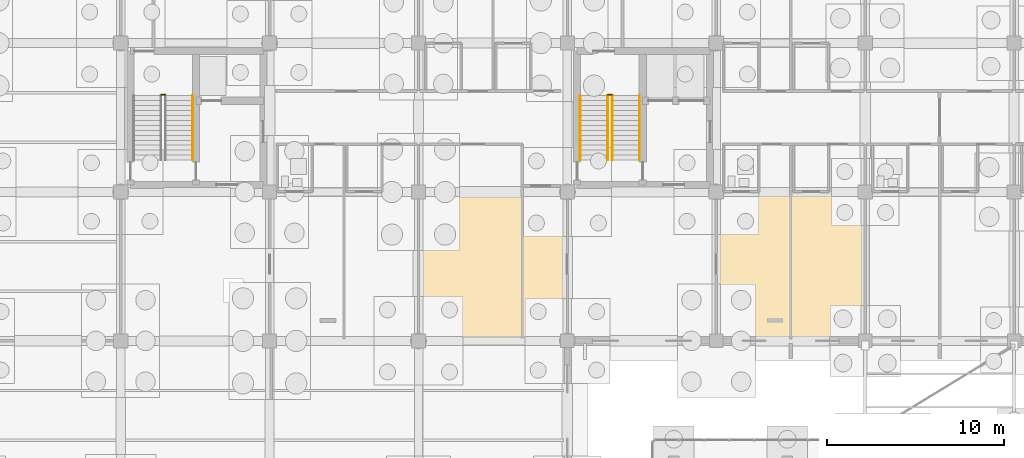
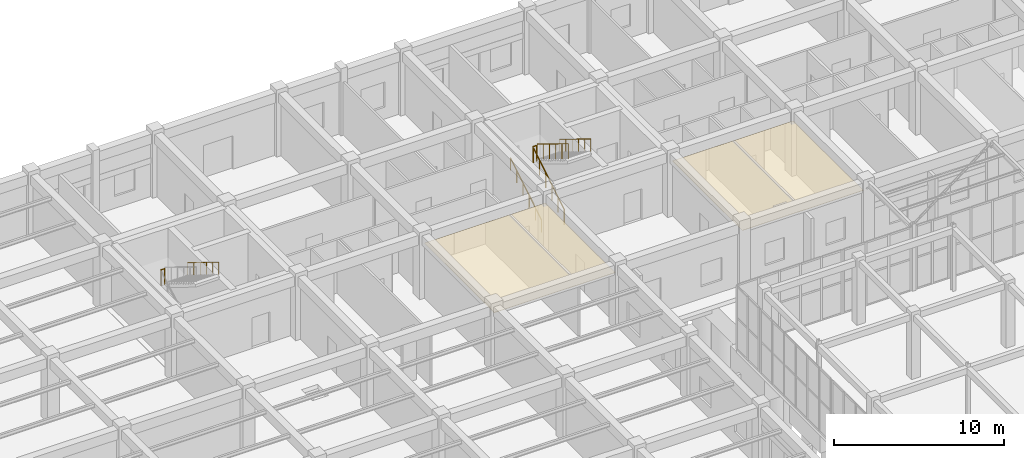
# One storey, part 184 of 192: 7 railings, 2 coverings.
"""IFC4 building model written with IfcOpenShell, lengths in metres."""

from ifc_helpers import new_model, si_unit, direction, frame, origin, origin_2d, place, context, subcontext, project, spatial, polyline, circle, outline, extrude, material, layer, layer_set, type_object, element, save


model = new_model("IFC4")

# Units and contexts
model_context = context("Model", 3, precision=1e-05, world=origin(), true_north=direction((0.0, 1.0)))
body_context = subcontext(model_context, "Body", "Model", "MODEL_VIEW")
ifc_project = project(units=[si_unit("LENGTHUNIT", "METRE"), si_unit("AREAUNIT", "SQUARE_METRE"), si_unit("VOLUMEUNIT", "CUBIC_METRE"), si_unit("PLANEANGLEUNIT", "RADIAN"), si_unit("MASSUNIT", "GRAM", prefix="KILO")], contexts=[model_context])

# Site, building, storey
site_placement = place(None, origin())
site = spatial("IfcSite", under=ifc_project, at=site_placement, CompositionType="ELEMENT")
building_placement = place(site_placement, origin())
building = spatial("IfcBuilding", under=site, at=building_placement, Name="Trelvath General Hospital", CompositionType="ELEMENT")
storey_placement = place(building_placement, origin())
storey = spatial("IfcBuildingStorey", under=building, at=storey_placement, Name="L00", CompositionType="ELEMENT", Elevation=0.0)

# Coverings
ifc_material_1 = material(Name="Hygienic acoustic ceiling tile")
ifc_layer = layer(ifc_material_1, 0.02490234375)
ifc_layer_set = layer_set([ifc_layer], Name="Hygienic acoustic ceiling tile")
covering_type = type_object("IfcCoveringType", Name="Ceiling ClinicalAcoustic", PredefinedType="CEILING", material=ifc_layer_set)
covering_1_placement = place(storey_placement, frame((0.0, 0.0, 3.679931640625)))
element("IfcCovering", 1, at=covering_1_placement, inside=storey, type_object=covering_type, Name="Clinical Acoustic Ceiling L00-8", PredefinedType="CEILING", context=body_context, shape_type="SweptSolid", body=[
    extrude(outline(polyline([(33.699951171875, 92.5), (41.89990234375, 92.5), (41.89990234375, 100.719970703125), (33.699951171875, 100.719970703125), (33.699951171875, 92.5)])), origin(), (0.0, 0.0, 1.0), 0.025146484375),
])
covering_2_placement = place(storey_placement, frame((0.0, 0.0, 3.679931640625)))
element("IfcCovering", 2, at=covering_2_placement, inside=storey, type_object=covering_type, Name="Clinical Acoustic Ceiling L00-9", PredefinedType="CEILING", context=body_context, shape_type="SweptSolid", body=[
    extrude(outline(polyline([(50.5, 92.5), (58.699951171875, 92.5), (58.699951171875, 100.719970703125), (50.5, 100.719970703125), (50.5, 92.5)])), origin(), (0.0, 0.0, 1.0), 0.025146484375),
])

# Railings
ifc_material_2 = material(Name="Architectural painted steel", Category="steel")
railing_type_1 = type_object("IfcRailingType", Name="Guardrail Terrace1150", PredefinedType="GUARDRAIL", material=ifc_material_2)
railing_1_placement = place(storey_placement, frame((44.530029296875, 106.239990234375, 2.5712890625)))
element("IfcRailing", 3, at=railing_1_placement, inside=storey, type_object=railing_type_1, Name="Stair Rail ST1 L00 F2 L 2", PredefinedType="GUARDRAIL", context=body_context, shape_type="SweptSolid", body=[
    extrude(circle(Radius=0.02392578125, at=origin_2d()), frame((0.0, 0.0, 1.076171875), z_axis=(0.0, -0.852824790078, 0.522197163366), x_axis=(1.0, 0.0, 0.0)), (0.0, 0.0, 1.0), 4.26806640625),
    extrude(circle(Radius=0.02099609375, at=origin_2d()), origin(), (0.0, 0.0, 1.0), 1.050048828125),
    extrude(circle(Radius=0.02099609375, at=origin_2d()), frame((0.0, -0.72802734375, 0.44580078125)), (0.0, 0.0, 1.0), 1.050048828125),
    extrude(circle(Radius=0.02099609375, at=origin_2d()), frame((0.0, -1.4560546875, 0.8916015625)), (0.0, 0.0, 1.0), 1.050048828125),
    extrude(circle(Radius=0.02099609375, at=origin_2d()), frame((0.0, -2.183837890625, 1.337158203125)), (0.0, 0.0, 1.0), 1.050048828125),
    extrude(circle(Radius=0.02099609375, at=origin_2d()), frame((0.0, -2.911865234375, 1.782958984375)), (0.0, 0.0, 1.0), 1.050048828125),
    extrude(circle(Radius=0.02099609375, at=origin_2d()), frame((0.0, -3.639892578125, 2.228759765625)), (0.0, 0.0, 1.0), 1.050048828125),
])
railing_2_placement = place(storey_placement, frame((44.27001953125, 102.60009765625, 0.17138671875)))
element("IfcRailing", 4, at=railing_2_placement, inside=storey, type_object=railing_type_1, Name="Stair Rail ST1 L00 F1 R 3", PredefinedType="GUARDRAIL", context=body_context, shape_type="SweptSolid", body=[
    extrude(circle(Radius=0.02392578125, at=origin_2d()), frame((0.0, 0.0, 1.076171875), z_axis=(0.0, 0.852850264322, 0.5221555579), x_axis=(-1.0, 0.0, 0.0)), (0.0, 0.0, 1.0), 4.267822265625),
    extrude(circle(Radius=0.02099609375, at=origin_2d()), origin(), (0.0, 0.0, 1.0), 1.050048828125),
    extrude(circle(Radius=0.02099609375, at=origin_2d()), frame((0.0, 0.72802734375, 0.44580078125)), (0.0, 0.0, 1.0), 1.050048828125),
    extrude(circle(Radius=0.02099609375, at=origin_2d()), frame((0.0, 1.4560546875, 0.891357421875)), (0.0, 0.0, 1.0), 1.050048828125),
    extrude(circle(Radius=0.02099609375, at=origin_2d()), frame((0.0, 2.183837890625, 1.337158203125)), (0.0, 0.0, 1.0), 1.050048828125),
    extrude(circle(Radius=0.02099609375, at=origin_2d()), frame((0.0, 2.911865234375, 1.78271484375)), (0.0, 0.0, 1.0), 1.050048828125),
    extrude(circle(Radius=0.02099609375, at=origin_2d()), frame((0.0, 3.639892578125, 2.228515625)), (0.0, 0.0, 1.0), 1.050048828125),
])
for number, where, name in (
    (5, (44.27001953125, 106.280029296875, 2.39990234375), "Half-Landing Well Guard ST1 L00 5"),
    (6, (19.070068359375, 106.280029296875, 2.39990234375), "Half-Landing Well Guard ST3 L00 101"),
):
    element("IfcRailing", number, at=place(storey_placement, frame(where)), inside=storey, type_object=railing_type_1, Name=name, PredefinedType="GUARDRAIL", context=body_context, shape_type="SweptSolid", body=[
        extrude(circle(Radius=0.02392578125, at=origin_2d()), frame((0.0, 0.0, 1.1259765625), z_axis=(1.0, 0.0, 0.0), x_axis=(0.0, 1.0, 0.0)), (0.0, 0.0, 1.0), 0.260009765625),
        extrude(circle(Radius=0.02099609375, at=origin_2d()), origin(), (0.0, 0.0, 1.0), 1.099853515625),
        extrude(circle(Radius=0.02099609375, at=origin_2d()), frame((0.260009765625, 0.0, 0.0)), (0.0, 0.0, 1.0), 1.099853515625),
    ])
ifc_material_3 = material(Name="Brushed stainless steel", Category="steel")
railing_type_2 = type_object("IfcRailingType", Name="Handrail Stair900", PredefinedType="HANDRAIL", material=ifc_material_3)
railing_3_placement = place(storey_placement, frame((42.72998046875, 102.60009765625, 0.17138671875)))
element("IfcRailing", 7, at=railing_3_placement, inside=storey, type_object=railing_type_2, Name="Stair Rail ST1 L00 F1 L 1", PredefinedType="HANDRAIL", context=body_context, shape_type="SweptSolid", body=[
    extrude(circle(Radius=0.02392578125, at=origin_2d()), frame((0.0, 0.0, 0.8759765625), z_axis=(0.0, 0.852850264322, 0.5221555579), x_axis=(-1.0, 0.0, 0.0)), (0.0, 0.0, 1.0), 4.267822265625),
    extrude(circle(Radius=0.02099609375, at=origin_2d()), origin(), (0.0, 0.0, 1.0), 0.849853515625),
    extrude(circle(Radius=0.02099609375, at=origin_2d()), frame((0.0, 0.72802734375, 0.44580078125)), (0.0, 0.0, 1.0), 0.849853515625),
    extrude(circle(Radius=0.02099609375, at=origin_2d()), frame((0.0, 1.4560546875, 0.891357421875)), (0.0, 0.0, 1.0), 0.849853515625),
    extrude(circle(Radius=0.02099609375, at=origin_2d()), frame((0.0, 2.183837890625, 1.337158203125)), (0.0, 0.0, 1.0), 0.849853515625),
    extrude(circle(Radius=0.02099609375, at=origin_2d()), frame((0.0, 2.911865234375, 1.78271484375)), (0.0, 0.0, 1.0), 0.849853515625),
    extrude(circle(Radius=0.02099609375, at=origin_2d()), frame((0.0, 3.639892578125, 2.228515625)), (0.0, 0.0, 1.0), 0.849853515625),
])
for number, where, name in (
    (8, (46.070068359375, 106.239990234375, 2.5712890625), "Stair Rail ST1 L00 F2 R 4"),
    (9, (20.8701171875, 106.239990234375, 2.5712890625), "Stair Rail ST3 L00 F2 R 100"),
):
    element("IfcRailing", number, at=place(storey_placement, frame(where)), inside=storey, type_object=railing_type_2, Name=name, PredefinedType="HANDRAIL", context=body_context, shape_type="SweptSolid", body=[
        extrude(circle(Radius=0.02392578125, at=origin_2d()), frame((0.0, 0.0, 0.8759765625), z_axis=(0.0, -0.852824790078, 0.522197163366), x_axis=(1.0, 0.0, 0.0)), (0.0, 0.0, 1.0), 4.26806640625),
        extrude(circle(Radius=0.02099609375, at=origin_2d()), origin(), (0.0, 0.0, 1.0), 0.849853515625),
        extrude(circle(Radius=0.02099609375, at=origin_2d()), frame((0.0, -0.72802734375, 0.44580078125)), (0.0, 0.0, 1.0), 0.849853515625),
        extrude(circle(Radius=0.02099609375, at=origin_2d()), frame((0.0, -1.4560546875, 0.8916015625)), (0.0, 0.0, 1.0), 0.849853515625),
        extrude(circle(Radius=0.02099609375, at=origin_2d()), frame((0.0, -2.183837890625, 1.337158203125)), (0.0, 0.0, 1.0), 0.849853515625),
        extrude(circle(Radius=0.02099609375, at=origin_2d()), frame((0.0, -2.911865234375, 1.782958984375)), (0.0, 0.0, 1.0), 0.849853515625),
        extrude(circle(Radius=0.02099609375, at=origin_2d()), frame((0.0, -3.639892578125, 2.228759765625)), (0.0, 0.0, 1.0), 0.849853515625),
    ])

save(model, "model.ifc")
